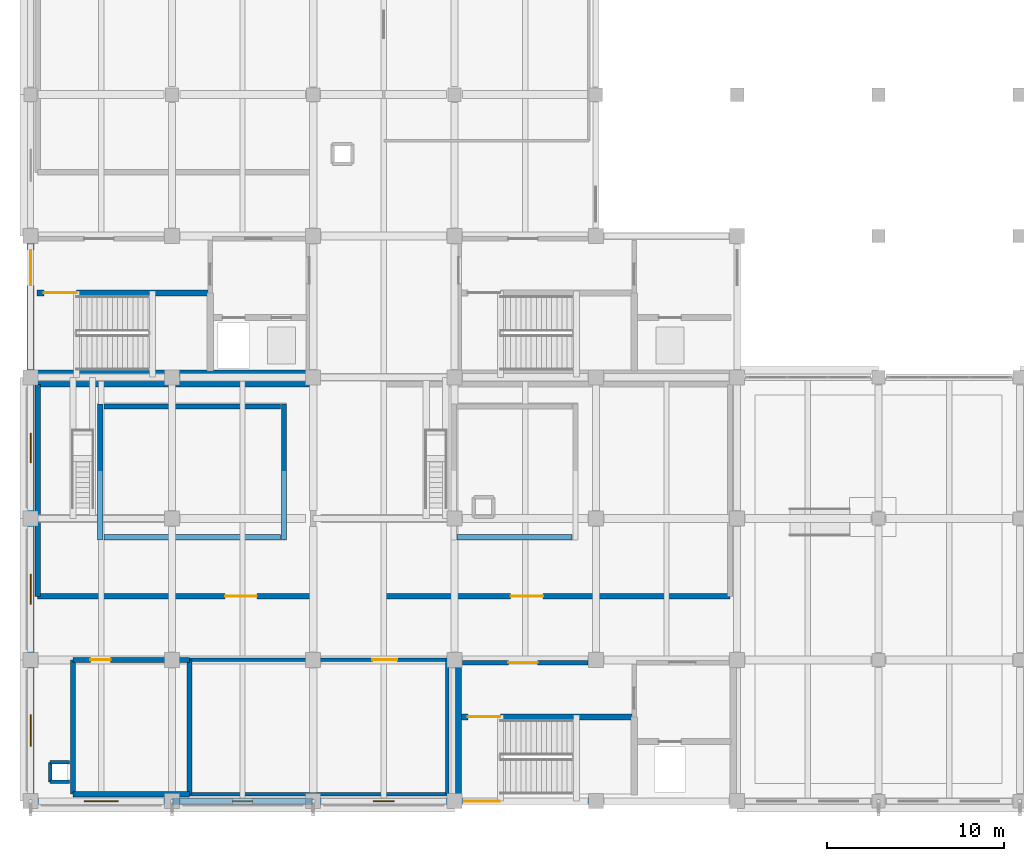
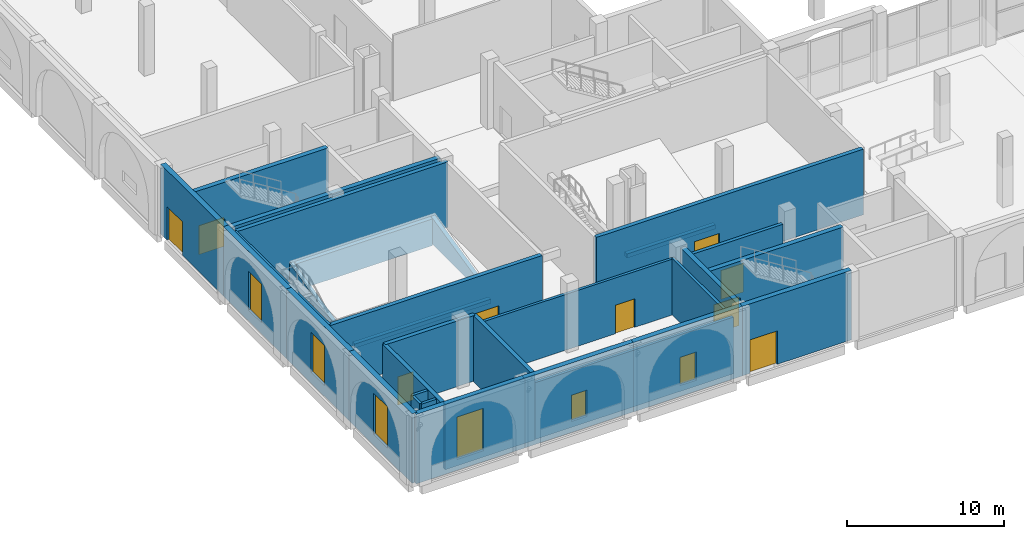
# One storey, part 16 of 40: 32 walls, 9 doors, 6 windows, 15 openings.
"""IFC4 building model written with IfcOpenShell, lengths in metres."""

from ifc_helpers import new_model, si_unit, direction, frame, frame_2d, origin, place, context, subcontext, project, spatial, polyline, rectangle, outline, extrude, material, layer, layer_set, type_object, element, fill, save


model = new_model("IFC4")

# Units and contexts
model_context = context("Model", 3, precision=1e-05, world=origin(), true_north=direction((0.0, 1.0)))
body_context = subcontext(model_context, "Body", "Model", "MODEL_VIEW")
ifc_project = project(units=[si_unit("LENGTHUNIT", "METRE"), si_unit("AREAUNIT", "SQUARE_METRE"), si_unit("VOLUMEUNIT", "CUBIC_METRE"), si_unit("PLANEANGLEUNIT", "RADIAN"), si_unit("MASSUNIT", "GRAM", prefix="KILO")], contexts=[model_context])

# Site, building, storey
site_placement = place(None, origin())
site = spatial("IfcSite", under=ifc_project, at=site_placement, CompositionType="ELEMENT")
building_placement = place(site_placement, origin())
building = spatial("IfcBuilding", under=site, at=building_placement, Name="Qorikala Patio Media Centre", CompositionType="ELEMENT")
storey_placement = place(building_placement, origin())
storey = spatial("IfcBuildingStorey", under=building, at=storey_placement, Name="L00", CompositionType="ELEMENT", Elevation=0.0)

# Walls
ifc_material_1 = material(Name="Concrete C35/45", Category="concrete")
ifc_layer_1 = layer(ifc_material_1, 0.300048828125)
ifc_layer_set_1 = layer_set([ifc_layer_1], Name="Concrete C35/45")
wall_type_1 = type_object("IfcWallType", Name="WL-AC-300", PredefinedType="SHEAR", material=ifc_layer_set_1)
for number, where, z_axis, x_axis, name in (
    (1, (6.949951171875, 17.800048828125, 0.0), (0.0, 0.0, 1.0), (0.0, 1.0, 0.0), "Cinema Screen 1 Raked Seating Tier Raker Cheek Wall W"),
    (2, (17.35009765625, 17.800048828125, 0.0), (0.0, 0.0, 1.0), (0.0, 1.0, 0.0), "Cinema Screen 1 Raked Seating Tier Raker Cheek Wall E"),
):
    element("IfcWall", number, at=place(storey_placement, frame(where, z_axis=z_axis, x_axis=x_axis)), inside=storey, type_object=wall_type_1, Name=name, PredefinedType="SHEAR", context=body_context, shape_type="SweptSolid", body=[
        extrude(outline(polyline([(0.0, 0.0), (7.699951171875, 0.0), (7.699951171875, 2.070068359375), (0.0, 0.320068359375), (0.0, 0.0)])), frame((0.0, 0.14990234375, 0.0), z_axis=(0.0, -1.0, 0.0), x_axis=(1.0, 0.0, 0.0)), (0.0, 0.0, 1.0), 0.300048828125),
    ])
wall_1_placement = place(storey_placement, frame((7.14990234375, 25.35009765625, 0.0), z_axis=(0.0, 0.0, 1.0), x_axis=(1.0, 0.0, 0.0)))
element("IfcWall", 3, at=wall_1_placement, inside=storey, type_object=wall_type_1, Name="Cinema Screen 1 Raked Seating Tier Rear Riser Support Wall", PredefinedType="SHEAR", context=body_context, shape_type="SweptSolid", body=[
    extrude(rectangle(XDim=10.0, YDim=0.300048828125, at=frame_2d((5.0, 0.0))), origin(), (0.0, 0.0, 1.0), 2.070068359375),
])
wall_2_placement = place(storey_placement, frame((7.14990234375, 17.949951171875, 0.0), z_axis=(0.0, 0.0, 1.0), x_axis=(1.0, 0.0, 0.0)))
element("IfcWall", 4, at=wall_2_placement, inside=storey, type_object=wall_type_1, Name="Cinema Screen 1 Raked Seating Tier Front Riser Support Wall", PredefinedType="SHEAR", context=body_context, shape_type="SweptSolid", body=[
    extrude(rectangle(XDim=10.0, YDim=0.300048828125, at=frame_2d((5.0, 0.0))), origin(), (0.0, 0.0, 1.0), 0.320068359375),
])
wall_3_placement = place(storey_placement, frame((27.14990234375, 17.949951171875, 0.0), z_axis=(0.0, 0.0, 1.0), x_axis=(1.0, 0.0, 0.0)))
element("IfcWall", 5, at=wall_3_placement, inside=storey, type_object=wall_type_1, Name="Cinema Screen 2 Raked Seating Tier Front Riser Support Wall", PredefinedType="SHEAR", context=body_context, shape_type="SweptSolid", body=[
    extrude(rectangle(XDim=6.5, YDim=0.300048828125, at=frame_2d((3.25, 0.0))), origin(), (0.0, 0.0, 1.0), 0.320068359375),
])
wall_4_placement = place(storey_placement, frame((5.39990234375, 3.39990234375, 0.0), z_axis=(0.0, 0.0, 1.0), x_axis=(1.0, 0.0, 0.0)))
element("IfcWall", 6, at=wall_4_placement, inside=storey, type_object=wall_type_1, Name="L00 Interior Wall WINT-L00-FCC-S", PredefinedType="SHEAR", context=body_context, shape_type="SweptSolid", body=[
    extrude(rectangle(XDim=6.60009765625, YDim=0.300048828125, at=frame_2d((3.300048828125, 0.0))), origin(), (0.0, 0.0, 1.0), 5.10009765625),
])
wall_5_placement = place(storey_placement, frame((12.0, 3.39990234375, 0.0), z_axis=(0.0, 0.0, 1.0), x_axis=(0.0, 1.0, 0.0)))
element("IfcWall", 7, at=wall_5_placement, inside=storey, type_object=wall_type_1, Name="L00 Interior Wall WINT-L00-FCC-E", PredefinedType="SHEAR", context=body_context, shape_type="SweptSolid", body=[
    extrude(rectangle(XDim=7.60009765625, YDim=0.300048828125, at=frame_2d((3.800048828125, 0.0))), origin(), (0.0, 0.0, 1.0), 5.10009765625),
])

# Wall, opening, door
wall_6_placement = place(storey_placement, frame((5.39990234375, 11.0, 0.0), z_axis=(0.0, 0.0, 1.0), x_axis=(1.0, 0.0, 0.0)))
wall_6 = element("IfcWall", 8, at=wall_6_placement, inside=storey, type_object=wall_type_1, Name="L00 Interior Wall WINT-L00-FCC-N", PredefinedType="SHEAR", context=body_context, shape_type="SweptSolid", body=[
    extrude(rectangle(XDim=6.60009765625, YDim=0.300048828125, at=frame_2d((3.300048828125, 0.0))), origin(), (0.0, 0.0, 1.0), 5.10009765625),
])
opening_1_placement = place(wall_6_placement, frame((0.985107421875, 0.0, 0.0)))
opening_1 = element("IfcOpeningElement", 9, at=opening_1_placement, cuts=wall_6, Name="Opening D228", PredefinedType="OPENING", context=body_context, shape_type="SweptSolid", body=[
    extrude(rectangle(XDim=1.14990234375, YDim=2.179931640625, at=frame_2d((0.574951171875, 1.08984375))), frame((0.0, 0.159912109375, 0.0), z_axis=(0.0, -1.0, 0.0), x_axis=(1.0, 0.0, 0.0)), (0.0, 0.0, 1.0), 0.320068359375),
])
ifc_material_2 = material(Name="Acoustic Fire Timber and Steel", Category="steel")
door_type_1 = type_object("IfcDoorType", Name="DR-FD60-115X218", OperationType="NOTDEFINED", PredefinedType="DOOR", material=ifc_material_2)
door_1_placement = place(opening_1_placement, origin())
door_1 = element("IfcDoor", 10, at=door_1_placement, inside=storey, type_object=door_type_1, Name="Fire Command Centre Door 017", OperationType="SINGLE_SWING_RIGHT", OverallHeight=2.179931640625, OverallWidth=1.14990234375, PredefinedType="DOOR", context=body_context, shape_type="SweptSolid", body=[
    extrude(rectangle(XDim=1.14990234375, YDim=2.179931640625, at=frame_2d((0.574951171875, 1.08984375))), frame((0.0, 0.02490234375, 0.0), z_axis=(0.0, -1.0, 0.0), x_axis=(1.0, 0.0, 0.0)), (0.0, 0.0, 1.0), 0.050048828125),
])
fill(opening_1, door_1)

# Wall
wall_7_placement = place(storey_placement, frame((5.39990234375, 3.39990234375, 0.0), z_axis=(0.0, 0.0, 1.0), x_axis=(0.0, 1.0, 0.0)))
element("IfcWall", 11, at=wall_7_placement, inside=storey, type_object=wall_type_1, Name="L00 Interior Wall WINT-L00-FCC-W", PredefinedType="SHEAR", context=body_context, shape_type="SweptSolid", body=[
    extrude(rectangle(XDim=7.60009765625, YDim=0.300048828125, at=frame_2d((3.800048828125, 0.0))), origin(), (0.0, 0.0, 1.0), 5.10009765625),
])

# Wall, opening, door
wall_8_placement = place(storey_placement, frame((3.39990234375, 14.60009765625, 0.0), z_axis=(0.0, 0.0, 1.0), x_axis=(1.0, 0.0, 0.0)))
wall_8 = element("IfcWall", 12, at=wall_8_placement, inside=storey, type_object=wall_type_1, Name="L00 Interior Wall WINT-L00-SCR1-S", PredefinedType="SHEAR", context=body_context, shape_type="SweptSolid", body=[
    extrude(rectangle(XDim=15.60009765625, YDim=0.300048828125, at=frame_2d((7.800048828125, 0.0))), origin(), (0.0, 0.0, 1.0), 5.10009765625),
])
opening_2_placement = place(wall_8_placement, frame((10.614990234375, 0.0, 0.0)))
opening_2 = element("IfcOpeningElement", 13, at=opening_2_placement, cuts=wall_8, Name="Opening D230", PredefinedType="OPENING", context=body_context, shape_type="SweptSolid", body=[
    extrude(rectangle(XDim=1.800048828125, YDim=2.300048828125, at=frame_2d((0.89990234375, 1.14990234375))), frame((0.0, 0.159912109375, 0.0), z_axis=(0.0, -1.0, 0.0), x_axis=(1.0, 0.0, 0.0)), (0.0, 0.0, 1.0), 0.320068359375),
])
ifc_material_3 = material(Name="Powder-Coated Acoustic Fire Steel", Category="steel")
door_type_2 = type_object("IfcDoorType", Name="DR-FD90-180X230", OperationType="DOUBLE_DOOR_SINGLE_SWING", PredefinedType="DOOR", material=ifc_material_3)
door_2_placement = place(opening_2_placement, origin())
door_2 = element("IfcDoor", 14, at=door_2_placement, inside=storey, type_object=door_type_2, Name="Cinema Screen 1 Door 019", OperationType="DOUBLE_DOOR_SINGLE_SWING", OverallHeight=2.300048828125, OverallWidth=1.800048828125, PredefinedType="DOOR", context=body_context, shape_type="SweptSolid", body=[
    extrude(rectangle(XDim=1.800048828125, YDim=2.300048828125, at=frame_2d((0.89990234375, 1.14990234375))), frame((0.0, 0.02490234375, 0.0), z_axis=(0.0, -1.0, 0.0), x_axis=(1.0, 0.0, 0.0)), (0.0, 0.0, 1.0), 0.050048828125),
])
fill(opening_2, door_2)

# Walls
wall_9_placement = place(storey_placement, frame((3.39990234375, 26.60009765625, 0.0), z_axis=(0.0, 0.0, 1.0), x_axis=(1.0, 0.0, 0.0)))
element("IfcWall", 15, at=wall_9_placement, inside=storey, type_object=wall_type_1, Name="L00 Interior Wall WINT-L00-SCR1-N", PredefinedType="SHEAR", context=body_context, shape_type="SweptSolid", body=[
    extrude(rectangle(XDim=15.60009765625, YDim=0.300048828125, at=frame_2d((7.800048828125, 0.0))), origin(), (0.0, 0.0, 1.0), 5.10009765625),
])
wall_10_placement = place(storey_placement, frame((3.39990234375, 14.60009765625, 0.0), z_axis=(0.0, 0.0, 1.0), x_axis=(0.0, 1.0, 0.0)))
element("IfcWall", 16, at=wall_10_placement, inside=storey, type_object=wall_type_1, Name="L00 Interior Wall WINT-L00-SCR1-W", PredefinedType="SHEAR", context=body_context, shape_type="SweptSolid", body=[
    extrude(rectangle(XDim=12.0, YDim=0.300048828125, at=frame_2d((6.0, 0.0))), origin(), (0.0, 0.0, 1.0), 5.10009765625),
])

# Wall, opening, door
wall_11_placement = place(storey_placement, frame((23.0, 14.60009765625, 0.0), z_axis=(0.0, 0.0, 1.0), x_axis=(1.0, 0.0, 0.0)))
wall_11 = element("IfcWall", 17, at=wall_11_placement, inside=storey, type_object=wall_type_1, Name="L00 Interior Wall WINT-L00-SCR2-S", PredefinedType="SHEAR", context=body_context, shape_type="SweptSolid", body=[
    extrude(rectangle(XDim=19.60009765625, YDim=0.300048828125, at=frame_2d((9.800048828125, 0.0))), origin(), (0.0, 0.0, 1.0), 5.10009765625),
])
opening_3_placement = place(wall_11_placement, frame((7.169921875, 0.0, 0.0)))
opening_3 = element("IfcOpeningElement", 18, at=opening_3_placement, cuts=wall_11, Name="Opening D231", PredefinedType="OPENING", context=body_context, shape_type="SweptSolid", body=[
    extrude(rectangle(XDim=1.85009765625, YDim=2.25, at=frame_2d((0.925048828125, 1.125))), frame((0.0, 0.159912109375, 0.0), z_axis=(0.0, -1.0, 0.0), x_axis=(1.0, 0.0, 0.0)), (0.0, 0.0, 1.0), 0.320068359375),
])
door_type_3 = type_object("IfcDoorType", Name="DR-FD60-185X225", OperationType="DOUBLE_DOOR_SINGLE_SWING", PredefinedType="DOOR", material=ifc_material_3)
door_3_placement = place(opening_3_placement, origin())
door_3 = element("IfcDoor", 19, at=door_3_placement, inside=storey, type_object=door_type_3, Name="Cinema Screen 2 Door 020", OperationType="DOUBLE_DOOR_SINGLE_SWING", OverallHeight=2.25, OverallWidth=1.85009765625, PredefinedType="DOOR", context=body_context, shape_type="SweptSolid", body=[
    extrude(rectangle(XDim=1.85009765625, YDim=2.25, at=frame_2d((0.925048828125, 1.125))), frame((0.0, 0.02490234375, 0.0), z_axis=(0.0, -1.0, 0.0), x_axis=(1.0, 0.0, 0.0)), (0.0, 0.0, 1.0), 0.050048828125),
])
fill(opening_3, door_3)

# Wall
ifc_layer_2 = layer(ifc_material_1, 0.35009765625)
ifc_layer_set_2 = layer_set([ifc_layer_2], Name="Concrete C35/45")
wall_type_2 = type_object("IfcWallType", Name="WL-CORE-350", PredefinedType="SHEAR", material=ifc_layer_set_2)
wall_12_placement = place(storey_placement, frame((27.22509765625, 3.199951171875, 0.0), z_axis=(0.0, 0.0, 1.0), x_axis=(0.0, 1.0, 0.0)))
element("IfcWall", 20, at=wall_12_placement, inside=storey, type_object=wall_type_2, Name="L00 Interior Wall CW-L00-C1-SW", PredefinedType="SHEAR", context=body_context, shape_type="SweptSolid", body=[
    extrude(rectangle(XDim=7.60009765625, YDim=0.35009765625, at=frame_2d((3.800048828125, 0.0))), origin(), (0.0, 0.0, 1.0), 5.10009765625),
])

# Wall, opening, door
wall_13_placement = place(storey_placement, frame((27.35009765625, 7.77490234375, 0.0), z_axis=(0.0, 0.0, 1.0), x_axis=(1.0, 0.0, 0.0)))
wall_13 = element("IfcWall", 21, at=wall_13_placement, inside=storey, type_object=wall_type_2, Name="L00 Interior Wall CW-L00-C1-SN", PredefinedType="SHEAR", context=body_context, shape_type="SweptSolid", body=[
    extrude(rectangle(XDim=9.824951171875, YDim=0.35009765625, at=frame_2d((4.91259765625, 0.0))), origin(), (0.0, 0.0, 1.0), 5.10009765625),
])
opening_4_placement = place(wall_13_placement, frame((0.39990234375, 0.0, 0.0)))
opening_4 = element("IfcOpeningElement", 22, at=opening_4_placement, cuts=wall_13, Name="Opening D027", PredefinedType="OPENING", context=body_context, shape_type="SweptSolid", body=[
    extrude(rectangle(XDim=1.85009765625, YDim=2.25, at=frame_2d((0.925048828125, 1.125))), frame((0.0, 0.18505859375, 0.0), z_axis=(0.0, -1.0, 0.0), x_axis=(1.0, 0.0, 0.0)), (0.0, 0.0, 1.0), 0.3701171875),
])
door_4_placement = place(opening_4_placement, frame((1.85009765625, 0.0, 0.0), z_axis=(0.0, 0.0, 1.0), x_axis=(-1.0, 0.0, 0.0)))
door_4 = element("IfcDoor", 23, at=door_4_placement, inside=storey, type_object=door_type_3, Name="L00 Stair ST-1 Fire Door", OperationType="DOUBLE_DOOR_SINGLE_SWING", OverallHeight=2.25, OverallWidth=1.85009765625, PredefinedType="DOOR", context=body_context, shape_type="SweptSolid", body=[
    extrude(rectangle(XDim=1.85009765625, YDim=2.25, at=frame_2d((0.925048828125, 1.125))), frame((0.0, 0.02490234375, 0.0), z_axis=(0.0, -1.0, 0.0), x_axis=(1.0, 0.0, 0.0)), (0.0, 0.0, 1.0), 0.050048828125),
])
fill(opening_4, door_4)

# Wall
wall_14_placement = place(storey_placement, frame((3.199951171875, 27.22509765625, 0.0), z_axis=(0.0, 0.0, 1.0), x_axis=(1.0, 0.0, 0.0)))
element("IfcWall", 24, at=wall_14_placement, inside=storey, type_object=wall_type_2, Name="L00 Core C2 Stair South Wall", PredefinedType="SHEAR", context=body_context, shape_type="SweptSolid", body=[
    extrude(rectangle(XDim=15.60009765625, YDim=0.35009765625, at=frame_2d((7.800048828125, 0.0))), origin(), (0.0, 0.0, 1.0), 5.10009765625),
])

# Wall, opening, door
wall_15_placement = place(storey_placement, frame((3.35009765625, 31.77490234375, 0.0), z_axis=(0.0, 0.0, 1.0), x_axis=(1.0, 0.0, 0.0)))
wall_15 = element("IfcWall", 25, at=wall_15_placement, inside=storey, type_object=wall_type_2, Name="L00 Interior Wall CW-L00-C2-SN", PredefinedType="SHEAR", context=body_context, shape_type="SweptSolid", body=[
    extrude(rectangle(XDim=9.824951171875, YDim=0.35009765625, at=frame_2d((4.91259765625, 0.0))), origin(), (0.0, 0.0, 1.0), 5.10009765625),
])
opening_5_placement = place(wall_15_placement, frame((0.39990234375, 0.0, 0.0)))
opening_5 = element("IfcOpeningElement", 26, at=opening_5_placement, cuts=wall_15, Name="Opening D060", PredefinedType="OPENING", context=body_context, shape_type="SweptSolid", body=[
    extrude(rectangle(XDim=1.85009765625, YDim=2.25, at=frame_2d((0.925048828125, 1.125))), frame((0.0, 0.18505859375, 0.0), z_axis=(0.0, -1.0, 0.0), x_axis=(1.0, 0.0, 0.0)), (0.0, 0.0, 1.0), 0.3701171875),
])
door_5_placement = place(opening_5_placement, frame((1.85009765625, 0.0, 0.0), z_axis=(0.0, 0.0, 1.0), x_axis=(-1.0, 0.0, 0.0)))
door_5 = element("IfcDoor", 27, at=door_5_placement, inside=storey, type_object=door_type_3, Name="L00 Stair ST-2 Fire Door", OperationType="DOUBLE_DOOR_SINGLE_SWING", OverallHeight=2.25, OverallWidth=1.85009765625, PredefinedType="DOOR", context=body_context, shape_type="SweptSolid", body=[
    extrude(rectangle(XDim=1.85009765625, YDim=2.25, at=frame_2d((0.925048828125, 1.125))), frame((0.0, 0.02490234375, 0.0), z_axis=(0.0, -1.0, 0.0), x_axis=(1.0, 0.0, 0.0)), (0.0, 0.0, 1.0), 0.050048828125),
])
fill(opening_5, door_5)

ifc_layer_3 = layer(ifc_material_1, 0.25)
ifc_layer_set_3 = layer_set([ifc_layer_3], Name="Concrete C35/45")
wall_type_3 = type_object("IfcWallType", Name="WL-FFL-250", PredefinedType="PARTITIONING", material=ifc_layer_set_3)
wall_16_placement = place(storey_placement, frame((27.449951171875, 10.85009765625, 0.0), z_axis=(0.0, 0.0, 1.0), x_axis=(1.0, 0.0, 0.0)))
wall_16 = element("IfcWall", 28, at=wall_16_placement, inside=storey, type_object=wall_type_3, Name="L00 Interior Wall CW-L00-C1-CN1", PredefinedType="PARTITIONING", context=body_context, shape_type="SweptSolid", body=[
    extrude(rectangle(XDim=7.10009765625, YDim=0.25, at=frame_2d((3.550048828125, 0.0))), origin(), (0.0, 0.0, 1.0), 4.3349609375),
])
opening_6_placement = place(wall_16_placement, frame((2.60009765625, 0.0, 0.0)))
opening_6 = element("IfcOpeningElement", 29, at=opening_6_placement, cuts=wall_16, Name="Opening D029", PredefinedType="OPENING", context=body_context, shape_type="SweptSolid", body=[
    extrude(rectangle(XDim=1.64990234375, YDim=2.25, at=frame_2d((0.824951171875, 1.125))), frame((0.0, 0.135009765625, 0.0), z_axis=(0.0, -1.0, 0.0), x_axis=(1.0, 0.0, 0.0)), (0.0, 0.0, 1.0), 0.27001953125),
])
door_type_4 = type_object("IfcDoorType", Name="DR-FD60-165X225", OperationType="DOUBLE_DOOR_SINGLE_SWING", PredefinedType="DOOR", material=ifc_material_3)
door_6_placement = place(opening_6_placement, frame((1.64990234375, 0.0, 0.0), z_axis=(0.0, 0.0, 1.0), x_axis=(-1.0, 0.0, 0.0)))
door_6 = element("IfcDoor", 30, at=door_6_placement, inside=storey, type_object=door_type_4, Name="L00 Core C1 Vestibule Door", OperationType="DOUBLE_DOOR_SINGLE_SWING", OverallHeight=2.25, OverallWidth=1.64990234375, PredefinedType="DOOR", context=body_context, shape_type="SweptSolid", body=[
    extrude(rectangle(XDim=1.64990234375, YDim=2.25, at=frame_2d((0.824951171875, 1.125))), frame((0.0, 0.02490234375, 0.0), z_axis=(0.0, -1.0, 0.0), x_axis=(1.0, 0.0, 0.0)), (0.0, 0.0, 1.0), 0.050048828125),
])
fill(opening_6, door_6)

# Walls
ifc_material_4 = material(Name="Acoustic Masonry and Plaster Concrete C30/37", Category="masonry")
ifc_layer_4 = layer(ifc_material_4, 0.199951171875)
ifc_layer_set_4 = layer_set([ifc_layer_4], Name="Acoustic Masonry and Plaster Concrete C30/37")
wall_type_4 = type_object("IfcWallType", Name="WL-ST-200", PredefinedType="PARTITIONING", material=ifc_layer_set_4)
wall_17_placement = place(storey_placement, frame((12.0, 3.39990234375, 0.0), z_axis=(0.0, 0.0, 1.0), x_axis=(1.0, 0.0, 0.0)))
element("IfcWall", 31, at=wall_17_placement, inside=storey, type_object=wall_type_4, Name="L00 Interior Wall WINT-L00-SLK1-S", PredefinedType="PARTITIONING", context=body_context, shape_type="SweptSolid", body=[
    extrude(rectangle(XDim=14.60009765625, YDim=0.199951171875, at=frame_2d((7.300048828125, 0.0))), origin(), (0.0, 0.0, 1.0), 4.405029296875),
])
wall_18_placement = place(storey_placement, frame((26.60009765625, 3.39990234375, 0.0), z_axis=(0.0, 0.0, 1.0), x_axis=(0.0, 1.0, 0.0)))
element("IfcWall", 32, at=wall_18_placement, inside=storey, type_object=wall_type_4, Name="L00 Interior Wall WINT-L00-SLK1-E", PredefinedType="PARTITIONING", context=body_context, shape_type="SweptSolid", body=[
    extrude(rectangle(XDim=7.60009765625, YDim=0.199951171875, at=frame_2d((3.800048828125, 0.0))), origin(), (0.0, 0.0, 1.0), 4.385009765625),
])

# Wall, opening, door
wall_19_placement = place(storey_placement, frame((12.0, 11.0, 0.0), z_axis=(0.0, 0.0, 1.0), x_axis=(1.0, 0.0, 0.0)))
wall_19 = element("IfcWall", 33, at=wall_19_placement, inside=storey, type_object=wall_type_4, Name="L00 Interior Wall WINT-L00-SLK1-N", PredefinedType="PARTITIONING", context=body_context, shape_type="SweptSolid", body=[
    extrude(rectangle(XDim=14.60009765625, YDim=0.199951171875, at=frame_2d((7.300048828125, 0.0))), origin(), (0.0, 0.0, 1.0), 4.3349609375),
])
opening_7_placement = place(wall_19_placement, frame((10.346923828125, 0.0, 0.0)))
opening_7 = element("IfcOpeningElement", 34, at=opening_7_placement, cuts=wall_19, Name="Opening D229", PredefinedType="OPENING", context=body_context, shape_type="SweptSolid", body=[
    extrude(rectangle(XDim=1.39990234375, YDim=2.219970703125, at=frame_2d((0.699951171875, 1.10986328125))), frame((0.0, 0.10986328125, 0.0), z_axis=(0.0, -1.0, 0.0), x_axis=(1.0, 0.0, 0.0)), (0.0, 0.0, 1.0), 0.219970703125),
])
door_type_5 = type_object("IfcDoorType", Name="DR-FD60-140X222", OperationType="DOUBLE_DOOR_SINGLE_SWING", PredefinedType="DOOR", material=ifc_material_3)
door_7_placement = place(opening_7_placement, origin())
door_7 = element("IfcDoor", 35, at=door_7_placement, inside=storey, type_object=door_type_5, Name="Cinema Sound-Lock Vestibule Door 018", OperationType="DOUBLE_DOOR_SINGLE_SWING", OverallHeight=2.219970703125, OverallWidth=1.39990234375, PredefinedType="DOOR", context=body_context, shape_type="SweptSolid", body=[
    extrude(rectangle(XDim=1.39990234375, YDim=2.219970703125, at=frame_2d((0.699951171875, 1.10986328125))), frame((0.0, 0.02490234375, 0.0), z_axis=(0.0, -1.0, 0.0), x_axis=(1.0, 0.0, 0.0)), (0.0, 0.0, 1.0), 0.050048828125),
])
fill(opening_7, door_7)

# Walls
for number, where, z_axis, x_axis, name in (
    (36, (4.10009765625, 4.10009765625, 0.0), (0.0, 0.0, 1.0), (1.0, 0.0, 0.0), "L00 Interior Wall RSW-1-L00-S"),
    (37, (4.10009765625, 5.199951171875, 0.0), (0.0, 0.0, 1.0), (1.0, 0.0, 0.0), "L00 Interior Wall RSW-1-L00-N"),
    (38, (4.10009765625, 4.10009765625, 0.0), (0.0, 0.0, 1.0), (0.0, 1.0, 0.0), "L00 Interior Wall RSW-1-L00-W"),
):
    element("IfcWall", number, at=place(storey_placement, frame(where, z_axis=z_axis, x_axis=x_axis)), inside=storey, type_object=wall_type_4, Name=name, PredefinedType="PARTITIONING", context=body_context, shape_type="SweptSolid", body=[
        extrude(rectangle(XDim=1.099853515625, YDim=0.199951171875, at=frame_2d((0.5498046875, 0.0))), origin(), (0.0, 0.0, 1.0), 5.10009765625),
    ])

# Wall, opening, door
ifc_material_5 = material(Name="Comanche Granite and Concrete C35/45", Category="masonry")
ifc_layer_5 = layer(ifc_material_5, 0.3798828125)
ifc_layer_set_5 = layer_set([ifc_layer_5], Name="Comanche Granite and Concrete C35/45")
wall_type_5 = type_object("IfcWallType", Name="WL-STONE-380", PredefinedType="SOLIDWALL", material=ifc_layer_set_5)
wall_20_placement = place(storey_placement, frame((35.0, 3.0, 0.0), z_axis=(0.0, 0.0, 1.0), x_axis=(-1.0, 0.0, 0.0)))
wall_20 = element("IfcWall", 39, at=wall_20_placement, inside=storey, type_object=wall_type_5, Name="L00 Core C1 Exterior Shear Wall", PredefinedType="SOLIDWALL", context=body_context, shape_type="SweptSolid", body=[
    extrude(rectangle(XDim=8.0, YDim=0.3798828125, at=frame_2d((4.0, 0.0))), origin(), (0.0, 0.0, 1.0), 5.39990234375),
])
opening_8_placement = place(wall_20_placement, frame((5.449951171875, 0.0, 0.0)))
opening_8 = element("IfcOpeningElement", 40, at=opening_8_placement, cuts=wall_20, Name="Opening D013", PredefinedType="OPENING", context=body_context, shape_type="SweptSolid", body=[
    extrude(rectangle(XDim=2.0, YDim=2.60009765625, at=frame_2d((1.0, 1.300048828125))), frame((0.0, 0.199951171875, 0.0), z_axis=(0.0, -1.0, 0.0), x_axis=(1.0, 0.0, 0.0)), (0.0, 0.0, 1.0), 0.39990234375),
])
ifc_material_6 = material(Name="Bronze Anodised Steel and Glass", Category="steel")
door_type_6 = type_object("IfcDoorType", Name="DR-EX-200X260", OperationType="DOUBLE_DOOR_SINGLE_SWING", PredefinedType="DOOR", material=ifc_material_6)
door_8_placement = place(opening_8_placement, origin())
door_8 = element("IfcDoor", 41, at=door_8_placement, inside=storey, type_object=door_type_6, Name="Pedestrian Final Exit Door EX-13 (ST-1)", OperationType="DOUBLE_DOOR_SINGLE_SWING", OverallHeight=2.60009765625, OverallWidth=2.0, PredefinedType="DOOR", context=body_context, shape_type="SweptSolid", body=[
    extrude(rectangle(XDim=2.0, YDim=2.60009765625, at=frame_2d((1.0, 1.300048828125))), frame((0.0, 0.02490234375, 0.0), z_axis=(0.0, -1.0, 0.0), x_axis=(1.0, 0.0, 0.0)), (0.0, 0.0, 1.0), 0.050048828125),
])
fill(opening_8, door_8)

# Wall, opening, window
wall_21_placement = place(storey_placement, frame((27.0, 3.0, 0.0), z_axis=(0.0, 0.0, 1.0), x_axis=(-1.0, 0.0, 0.0)))
wall_21 = element("IfcWall", 42, at=wall_21_placement, inside=storey, type_object=wall_type_5, Name="L00 Exterior Wall WL-L00-EXT-0043", PredefinedType="SOLIDWALL", context=body_context, shape_type="SweptSolid", body=[
    extrude(rectangle(XDim=8.0, YDim=0.3798828125, at=frame_2d((4.0, 0.0))), origin(), (0.0, 0.0, 1.0), 5.39990234375),
])
opening_9_placement = place(wall_21_placement, frame((3.39990234375, 0.0, 0.85009765625)))
opening_9 = element("IfcOpeningElement", 43, at=opening_9_placement, cuts=wall_21, Name="Opening WC-120", PredefinedType="OPENING", context=body_context, shape_type="SweptSolid", body=[
    extrude(rectangle(XDim=1.199951171875, YDim=2.199951171875, at=frame_2d((0.60009765625, 1.10009765625))), frame((0.0, 0.199951171875, 0.0), z_axis=(0.0, -1.0, 0.0), x_axis=(1.0, 0.0, 0.0)), (0.0, 0.0, 1.0), 0.39990234375),
])
ifc_material_7 = material(Name="Bronze Anodised Aluminium and Low-E Glass", Category="aluminium")
window_type_1 = type_object("IfcWindowType", Name="WN-COL-120X220", PartitioningType="SINGLE_PANEL", PredefinedType="WINDOW", material=ifc_material_7)
window_1_placement = place(opening_9_placement, origin())
window_1 = element("IfcWindow", 44, at=window_1_placement, inside=storey, type_object=window_type_1, Name="L00 Colonial Tall Window 0035", OverallHeight=2.199951171875, OverallWidth=1.199951171875, PartitioningType="SINGLE_PANEL", PredefinedType="WINDOW", context=body_context, shape_type="SweptSolid", body=[
    extrude(rectangle(XDim=1.199951171875, YDim=2.199951171875, at=frame_2d((0.60009765625, 1.10009765625))), frame((0.0, 0.030029296875, 0.0), z_axis=(0.0, -1.0, 0.0), x_axis=(1.0, 0.0, 0.0)), (0.0, 0.0, 1.0), 0.06005859375),
])
fill(opening_9, window_1)

wall_22_placement = place(storey_placement, frame((19.0, 3.0, 0.0), z_axis=(0.0, 0.0, 1.0), x_axis=(-1.0, 0.0, 0.0)))
wall_22 = element("IfcWall", 45, at=wall_22_placement, inside=storey, type_object=wall_type_5, Name="L00 Exterior Wall WL-L00-EXT-0044", PredefinedType="SOLIDWALL", context=body_context, shape_type="SweptSolid", body=[
    extrude(rectangle(XDim=8.0, YDim=0.3798828125, at=frame_2d((4.0, 0.0))), origin(), (0.0, 0.0, 1.0), 5.39990234375),
])
opening_10_placement = place(wall_22_placement, frame((3.43994140625, 0.0, 0.85009765625)))
opening_10 = element("IfcOpeningElement", 46, at=opening_10_placement, cuts=wall_22, Name="Opening WC-112", PredefinedType="OPENING", context=body_context, shape_type="SweptSolid", body=[
    extrude(rectangle(XDim=1.1201171875, YDim=2.050048828125, at=frame_2d((0.56005859375, 1.02490234375))), frame((0.0, 0.199951171875, 0.0), z_axis=(0.0, -1.0, 0.0), x_axis=(1.0, 0.0, 0.0)), (0.0, 0.0, 1.0), 0.39990234375),
])
window_type_2 = type_object("IfcWindowType", Name="WN-COL-112X205", PartitioningType="SINGLE_PANEL", PredefinedType="WINDOW", material=ifc_material_7)
window_2_placement = place(opening_10_placement, origin())
window_2 = element("IfcWindow", 47, at=window_2_placement, inside=storey, type_object=window_type_2, Name="L00 Colonial Tall Window 0036", OverallHeight=2.050048828125, OverallWidth=1.1201171875, PartitioningType="SINGLE_PANEL", PredefinedType="WINDOW", context=body_context, shape_type="SweptSolid", body=[
    extrude(rectangle(XDim=1.1201171875, YDim=2.050048828125, at=frame_2d((0.56005859375, 1.02490234375))), frame((0.0, 0.030029296875, 0.0), z_axis=(0.0, -1.0, 0.0), x_axis=(1.0, 0.0, 0.0)), (0.0, 0.0, 1.0), 0.06005859375),
])
fill(opening_10, window_2)

wall_23_placement = place(storey_placement, frame((11.0, 3.0, 0.0), z_axis=(0.0, 0.0, 1.0), x_axis=(-1.0, 0.0, 0.0)))
wall_23 = element("IfcWall", 48, at=wall_23_placement, inside=storey, type_object=wall_type_5, Name="L00 Exterior Wall WL-L00-EXT-0045", PredefinedType="SOLIDWALL", context=body_context, shape_type="SweptSolid", body=[
    extrude(rectangle(XDim=8.0, YDim=0.3798828125, at=frame_2d((4.0, 0.0))), origin(), (0.0, 0.0, 1.0), 5.39990234375),
])
opening_11_placement = place(wall_23_placement, frame((3.02490234375, 0.0, 0.85009765625)))
opening_11 = element("IfcOpeningElement", 49, at=opening_11_placement, cuts=wall_23, Name="Opening WC-195", PredefinedType="OPENING", context=body_context, shape_type="SweptSolid", body=[
    extrude(rectangle(XDim=1.949951171875, YDim=3.300048828125, at=frame_2d((0.97509765625, 1.64990234375))), frame((0.0, 0.199951171875, 0.0), z_axis=(0.0, -1.0, 0.0), x_axis=(1.0, 0.0, 0.0)), (0.0, 0.0, 1.0), 0.39990234375),
])
window_type_3 = type_object("IfcWindowType", Name="WN-COL-195X330", PartitioningType="SINGLE_PANEL", PredefinedType="WINDOW", material=ifc_material_7)
window_3_placement = place(opening_11_placement, origin())
window_3 = element("IfcWindow", 50, at=window_3_placement, inside=storey, type_object=window_type_3, Name="L00 Colonial Tall Window 0037", OverallHeight=3.300048828125, OverallWidth=1.949951171875, PartitioningType="SINGLE_PANEL", PredefinedType="WINDOW", context=body_context, shape_type="SweptSolid", body=[
    extrude(rectangle(XDim=1.949951171875, YDim=3.300048828125, at=frame_2d((0.97509765625, 1.64990234375))), frame((0.0, 0.030029296875, 0.0), z_axis=(0.0, -1.0, 0.0), x_axis=(1.0, 0.0, 0.0)), (0.0, 0.0, 1.0), 0.06005859375),
])
fill(opening_11, window_3)

wall_24_placement = place(storey_placement, frame((3.0, 3.0, 0.0), z_axis=(0.0, 0.0, 1.0), x_axis=(0.0, 1.0, 0.0)))
wall_24 = element("IfcWall", 51, at=wall_24_placement, inside=storey, type_object=wall_type_5, Name="L00 Exterior Wall WL-L00-EXT-0046", PredefinedType="SOLIDWALL", context=body_context, shape_type="SweptSolid", body=[
    extrude(rectangle(XDim=8.0, YDim=0.3798828125, at=frame_2d((4.0, 0.0))), origin(), (0.0, 0.0, 1.0), 5.39990234375),
])
opening_12_placement = place(wall_24_placement, frame((3.10009765625, 0.0, 0.85009765625)))
opening_12 = element("IfcOpeningElement", 52, at=opening_12_placement, cuts=wall_24, Name="Opening WC-180", PredefinedType="OPENING", context=body_context, shape_type="SweptSolid", body=[
    extrude(rectangle(XDim=1.800048828125, YDim=3.199951171875, at=frame_2d((0.89990234375, 1.60009765625))), frame((0.0, 0.199951171875, 0.0), z_axis=(0.0, -1.0, 0.0), x_axis=(1.0, 0.0, 0.0)), (0.0, 0.0, 1.0), 0.39990234375),
])
window_type_4 = type_object("IfcWindowType", Name="WN-COL-180X320", PartitioningType="SINGLE_PANEL", PredefinedType="WINDOW", material=ifc_material_7)
window_4_placement = place(opening_12_placement, origin())
window_4 = element("IfcWindow", 53, at=window_4_placement, inside=storey, type_object=window_type_4, Name="L00 Colonial Tall Window 0038", OverallHeight=3.199951171875, OverallWidth=1.800048828125, PartitioningType="SINGLE_PANEL", PredefinedType="WINDOW", context=body_context, shape_type="SweptSolid", body=[
    extrude(rectangle(XDim=1.800048828125, YDim=3.199951171875, at=frame_2d((0.89990234375, 1.60009765625))), frame((0.0, 0.030029296875, 0.0), z_axis=(0.0, -1.0, 0.0), x_axis=(1.0, 0.0, 0.0)), (0.0, 0.0, 1.0), 0.06005859375),
])
fill(opening_12, window_4)

wall_25_placement = place(storey_placement, frame((3.0, 11.0, 0.0), z_axis=(0.0, 0.0, 1.0), x_axis=(0.0, 1.0, 0.0)))
wall_25 = element("IfcWall", 54, at=wall_25_placement, inside=storey, type_object=wall_type_5, Name="L00 Exterior Wall WL-L00-EXT-0047", PredefinedType="SOLIDWALL", context=body_context, shape_type="SweptSolid", body=[
    extrude(rectangle(XDim=8.0, YDim=0.3798828125, at=frame_2d((4.0, 0.0))), origin(), (0.0, 0.0, 1.0), 5.39990234375),
])
opening_13_placement = place(wall_25_placement, frame((3.139892578125, 0.0, 0.85009765625)))
opening_13 = element("IfcOpeningElement", 55, at=opening_13_placement, cuts=wall_25, Name="Opening WC-172", PredefinedType="OPENING", context=body_context, shape_type="SweptSolid", body=[
    extrude(rectangle(XDim=1.719970703125, YDim=3.10009765625, at=frame_2d((0.85986328125, 1.550048828125))), frame((0.0, 0.199951171875, 0.0), z_axis=(0.0, -1.0, 0.0), x_axis=(1.0, 0.0, 0.0)), (0.0, 0.0, 1.0), 0.39990234375),
])
window_type_5 = type_object("IfcWindowType", Name="WN-COL-172X310", PartitioningType="SINGLE_PANEL", PredefinedType="WINDOW", material=ifc_material_7)
window_5_placement = place(opening_13_placement, origin())
window_5 = element("IfcWindow", 56, at=window_5_placement, inside=storey, type_object=window_type_5, Name="L00 Colonial Tall Window 0039", OverallHeight=3.10009765625, OverallWidth=1.719970703125, PartitioningType="SINGLE_PANEL", PredefinedType="WINDOW", context=body_context, shape_type="SweptSolid", body=[
    extrude(rectangle(XDim=1.719970703125, YDim=3.10009765625, at=frame_2d((0.85986328125, 1.550048828125))), frame((0.0, 0.030029296875, 0.0), z_axis=(0.0, -1.0, 0.0), x_axis=(1.0, 0.0, 0.0)), (0.0, 0.0, 1.0), 0.06005859375),
])
fill(opening_13, window_5)

wall_26_placement = place(storey_placement, frame((3.0, 19.0, 0.0), z_axis=(0.0, 0.0, 1.0), x_axis=(0.0, 1.0, 0.0)))
wall_26 = element("IfcWall", 57, at=wall_26_placement, inside=storey, type_object=wall_type_5, Name="L00 Exterior Wall WL-L00-EXT-0048", PredefinedType="SOLIDWALL", context=body_context, shape_type="SweptSolid", body=[
    extrude(rectangle(XDim=8.0, YDim=0.3798828125, at=frame_2d((4.0, 0.0))), origin(), (0.0, 0.0, 1.0), 5.39990234375),
])
opening_14_placement = place(wall_26_placement, frame((3.175048828125, 0.0, 0.85009765625)))
opening_14 = element("IfcOpeningElement", 58, at=opening_14_placement, cuts=wall_26, Name="Opening WC-165", PredefinedType="OPENING", context=body_context, shape_type="SweptSolid", body=[
    extrude(rectangle(XDim=1.64990234375, YDim=3.0, at=frame_2d((0.824951171875, 1.5))), frame((0.0, 0.199951171875, 0.0), z_axis=(0.0, -1.0, 0.0), x_axis=(1.0, 0.0, 0.0)), (0.0, 0.0, 1.0), 0.39990234375),
])
window_type_6 = type_object("IfcWindowType", Name="WN-COL-165X300", PartitioningType="SINGLE_PANEL", PredefinedType="WINDOW", material=ifc_material_7)
window_6_placement = place(opening_14_placement, origin())
window_6 = element("IfcWindow", 59, at=window_6_placement, inside=storey, type_object=window_type_6, Name="L00 Colonial Tall Window 0040", OverallHeight=3.0, OverallWidth=1.64990234375, PartitioningType="SINGLE_PANEL", PredefinedType="WINDOW", context=body_context, shape_type="SweptSolid", body=[
    extrude(rectangle(XDim=1.64990234375, YDim=3.0, at=frame_2d((0.824951171875, 1.5))), frame((0.0, 0.030029296875, 0.0), z_axis=(0.0, -1.0, 0.0), x_axis=(1.0, 0.0, 0.0)), (0.0, 0.0, 1.0), 0.06005859375),
])
fill(opening_14, window_6)

# Wall, opening, door
wall_27_placement = place(storey_placement, frame((3.0, 27.0, 0.0), z_axis=(0.0, 0.0, 1.0), x_axis=(0.0, 1.0, 0.0)))
wall_27 = element("IfcWall", 60, at=wall_27_placement, inside=storey, type_object=wall_type_5, Name="L00 Core C2 Exterior Shear Wall", PredefinedType="SOLIDWALL", context=body_context, shape_type="SweptSolid", body=[
    extrude(rectangle(XDim=8.0, YDim=0.3798828125, at=frame_2d((4.0, 0.0))), origin(), (0.0, 0.0, 1.0), 5.39990234375),
])
opening_15_placement = place(wall_27_placement, frame((5.199951171875, 0.0, 0.0)))
opening_15 = element("IfcOpeningElement", 61, at=opening_15_placement, cuts=wall_27, Name="Opening D014", PredefinedType="OPENING", context=body_context, shape_type="SweptSolid", body=[
    extrude(rectangle(XDim=2.0, YDim=2.60009765625, at=frame_2d((1.0, 1.300048828125))), frame((0.0, 0.199951171875, 0.0), z_axis=(0.0, -1.0, 0.0), x_axis=(1.0, 0.0, 0.0)), (0.0, 0.0, 1.0), 0.39990234375),
])
door_9_placement = place(opening_15_placement, origin())
door_9 = element("IfcDoor", 62, at=door_9_placement, inside=storey, type_object=door_type_6, Name="Pedestrian Final Exit Door EX-14 (ST-2)", OperationType="DOUBLE_DOOR_SINGLE_SWING", OverallHeight=2.60009765625, OverallWidth=2.0, PredefinedType="DOOR", context=body_context, shape_type="SweptSolid", body=[
    extrude(rectangle(XDim=2.0, YDim=2.60009765625, at=frame_2d((1.0, 1.300048828125))), frame((0.0, 0.02490234375, 0.0), z_axis=(0.0, -1.0, 0.0), x_axis=(1.0, 0.0, 0.0)), (0.0, 0.0, 1.0), 0.050048828125),
])
fill(opening_15, door_9)

save(model, "model.ifc")
